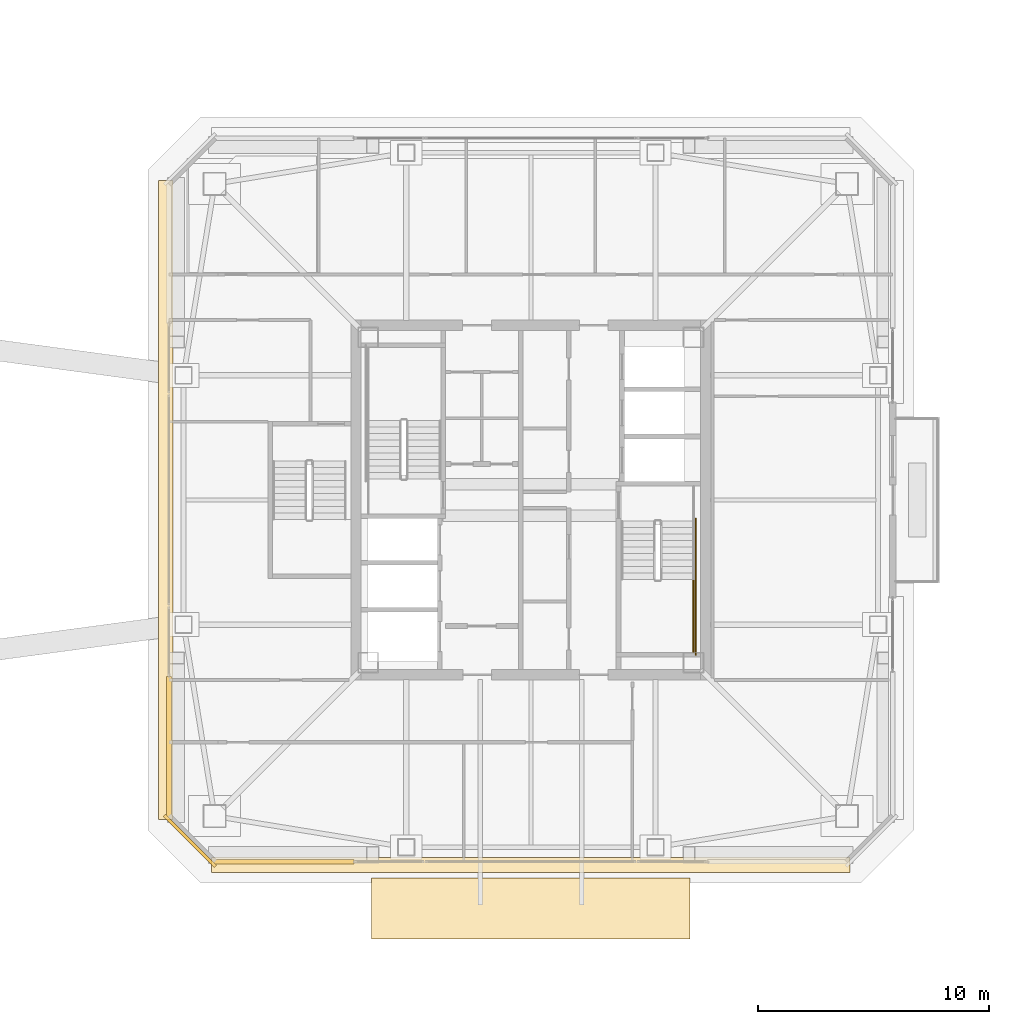
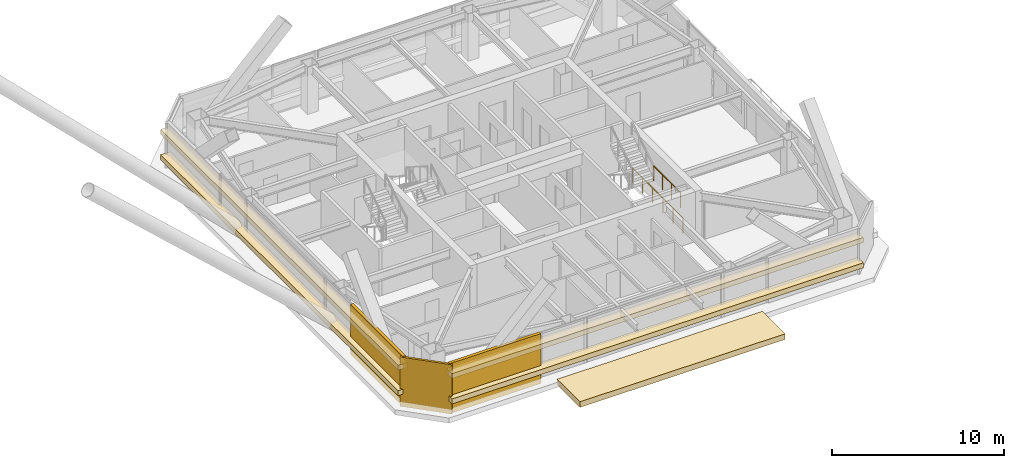
# One storey, part 35 of 39: 8 coverings, 2 railings.
"""IFC4 building model written with IfcOpenShell, lengths in metres."""

from ifc_helpers import new_model, si_unit, direction, frame, origin, origin_2d, place, context, subcontext, project, spatial, rectangle, extrude, material, layer, layer_set, type_object, element, save


model = new_model("IFC4")

# Units and contexts
model_context = context("Model", 3, precision=1e-05, world=origin(), true_north=direction((0.0, 1.0)))
body_context = subcontext(model_context, "Body", "Model", "MODEL_VIEW")
ifc_project = project(units=[si_unit("LENGTHUNIT", "METRE"), si_unit("AREAUNIT", "SQUARE_METRE"), si_unit("VOLUMEUNIT", "CUBIC_METRE"), si_unit("PLANEANGLEUNIT", "RADIAN"), si_unit("MASSUNIT", "GRAM", prefix="KILO")], contexts=[model_context])

# Site, building, storey
site_placement = place(None, origin())
site = spatial("IfcSite", under=ifc_project, at=site_placement, CompositionType="ELEMENT")
building_placement = place(site_placement, origin())
building = spatial("IfcBuilding", under=site, at=building_placement, Name="Tashvorn Skyway Center", CompositionType="ELEMENT")
storey_placement = place(building_placement, frame((0.0, 0.0, 232.60009765625)))
storey = spatial("IfcBuildingStorey", under=building, at=storey_placement, Name="L63", CompositionType="ELEMENT", Elevation=232.60009765625)

# Coverings
ifc_material_1 = material(Name="Precast concrete C40/50", Category="concrete")
ifc_layer_1 = layer(ifc_material_1, 0.199951171875)
ifc_layer_set_1 = layer_set([ifc_layer_1], Name="Precast concrete C40/50")
covering_type_1 = type_object("IfcCoveringType", Name="COV-BRACE-CLAD", PredefinedType="CLADDING", material=ifc_layer_set_1)
for number, where, z_axis, x_axis, name in (
    (1, (31.2822265625, 16.320068359375, 0.0), (0.0, 0.0, 1.0), (-1.0, 0.0, 0.0), "Tower 1 L63 South Unitised Curtain Wall Mega-Brace Cladding Band 2"),
    (2, (26.320068359375, 21.2822265625, 0.0), (0.0, 0.0, 1.0), (0.0, 1.0, 0.0), "Tower 1 L63 West Unitised Curtain Wall Mega-Brace Cladding Band 1"),
):
    element("IfcCovering", number, at=place(storey_placement, frame(where, z_axis=z_axis, x_axis=x_axis)), inside=storey, type_object=covering_type_1, Name=name, PredefinedType="CLADDING", context=body_context, shape_type="SweptSolid", body=[
        extrude(rectangle(XDim=6.12451171875, YDim=0.199951171875, at=origin_2d()), origin(), (0.0, 0.0, 1.0), 3.550048828125),
    ])
ifc_material_2 = material(Name="Perforated ceramic-coated bronze aluminium solar screen", Category="aluminium")
ifc_layer_2 = layer(ifc_material_2, 0.85009765625)
ifc_layer_set_2 = layer_set([ifc_layer_2], Name="Perforated ceramic-coated bronze aluminium solar screen")
covering_type_2 = type_object("IfcCoveringType", Name="COV-SOLAR-BAND", PredefinedType="CLADDING", material=ifc_layer_set_2)
for number, where, z_axis, x_axis, name in (
    (3, (42.0, 16.179931640625, 0.919921875), (0.0, 0.0, 1.0), (-1.0, 0.0, 0.0), "L63 Perforated Ceramic-Metal Solar Screen Louvre Band South 1"),
    (4, (42.0, 16.179931640625, 2.7197265625), (0.0, 0.0, 1.0), (-1.0, 0.0, 0.0), "L63 Perforated Ceramic-Metal Solar Screen Louvre Band South 2"),
    (5, (26.179931640625, 32.0, 0.919921875), (0.0, 0.0, 1.0), (0.0, 1.0, 0.0), "L63 Perforated Ceramic-Metal Solar Screen Louvre Band West 1"),
    (6, (26.179931640625, 32.0, 2.7197265625), (0.0, 0.0, 1.0), (0.0, 1.0, 0.0), "L63 Perforated Ceramic-Metal Solar Screen Louvre Band West 2"),
):
    element("IfcCovering", number, at=place(storey_placement, frame(where, z_axis=z_axis, x_axis=x_axis)), inside=storey, type_object=covering_type_2, Name=name, PredefinedType="CLADDING", context=body_context, shape_type="SweptSolid", body=[
        extrude(rectangle(XDim=27.679931640625, YDim=0.639892578125, at=origin_2d()), origin(), (0.0, 0.0, 1.0), 0.360107421875),
    ])
ifc_layer_3 = layer(ifc_material_1, 0.35009765625)
ifc_layer_set_3 = layer_set([ifc_layer_3], Name="Precast concrete C40/50")
covering_type_3 = type_object("IfcCoveringType", Name="COV-STONE-TRIM", PredefinedType="CLADDING", material=ifc_layer_set_3)
covering_1_placement = place(storey_placement, frame((42.0, 14.300048828125, 0.0), z_axis=(0.0, 0.0, 1.0), x_axis=(-1.0, 0.0, 0.0)))
element("IfcCovering", 7, at=covering_1_placement, inside=storey, type_object=covering_type_3, Name="Tower 1 L62 Sky Garden Terracotta Canopy Hood", PredefinedType="CLADDING", context=body_context, shape_type="SweptSolid", body=[
    extrude(rectangle(XDim=13.800048828125, YDim=2.64990234375, at=origin_2d()), origin(), (0.0, 0.0, 1.0), 0.39990234375),
])
covering_2_placement = place(storey_placement, frame((27.22998046875, 17.22998046875, 0.02001953125), z_axis=(0.0, 0.0, 1.0), x_axis=(-0.707106781187, 0.707106781187, 0.0)))
element("IfcCovering", 8, at=covering_2_placement, inside=storey, type_object=covering_type_3, Name="Tower 1 L63 SW Mojave Limestone Corner Quoin", PredefinedType="CLADDING", context=body_context, shape_type="SweptSolid", body=[
    extrude(rectangle(XDim=3.1298828125, YDim=0.139892578125, at=origin_2d()), origin(), (0.0, 0.0, 1.0), 3.510009765625),
])

# Railings
ifc_material_3 = material(Name="Painted galvanized steel S355", Category="steel")
railing_type = type_object("IfcRailingType", Name="RAIL-STGUARD-1100", PredefinedType="GUARDRAIL", material=ifc_material_3)
railing_1_placement = place(storey_placement, frame((49.050048828125, 28.56005859375, 1.77490234375)))
element("IfcRailing", 9, at=railing_1_placement, inside=storey, type_object=railing_type, Name="L63 ST-T1-2 stair guard 3", PredefinedType="GUARDRAIL", context=body_context, shape_type="SweptSolid", body=[
    extrude(rectangle(XDim=0.048095703125, YDim=0.048095703125, at=origin_2d()), frame((0.0, 0.0, 1.076171875), z_axis=(0.0, -1.0, 0.0), x_axis=(1.0, 0.0, 0.0)), (0.0, 0.0, 1.0), 3.16015625),
    extrude(rectangle(XDim=0.0419921875, YDim=0.0419921875, at=origin_2d()), origin(), (0.0, 0.0, 1.0), 1.052001953125),
    extrude(rectangle(XDim=0.0419921875, YDim=0.0419921875, at=origin_2d()), frame((0.0, -1.053466796875, 0.0)), (0.0, 0.0, 1.0), 1.052001953125),
    extrude(rectangle(XDim=0.0419921875, YDim=0.0419921875, at=origin_2d()), frame((0.0, -2.106689453125, 0.0)), (0.0, 0.0, 1.0), 1.052001953125),
    extrude(rectangle(XDim=0.0419921875, YDim=0.0419921875, at=origin_2d()), frame((0.0, -3.16015625, 0.0)), (0.0, 0.0, 1.0), 1.052001953125),
])
railing_2_placement = place(storey_placement, frame((49.14990234375, 31.179931640625, 0.0)))
element("IfcRailing", 10, at=railing_2_placement, inside=storey, type_object=railing_type, Name="L63 ST-T1-2 stair guard 7", PredefinedType="GUARDRAIL", context=body_context, shape_type="SweptSolid", body=[
    extrude(rectangle(XDim=0.048095703125, YDim=0.048095703125, at=origin_2d()), frame((0.0, 0.0, 1.076171875), z_axis=(0.0, -1.0, 0.0), x_axis=(1.0, 0.0, 0.0)), (0.0, 0.0, 1.0), 5.8798828125),
    extrude(rectangle(XDim=0.0419921875, YDim=0.0419921875, at=origin_2d()), origin(), (0.0, 0.0, 1.0), 1.052001953125),
    extrude(rectangle(XDim=0.0419921875, YDim=0.0419921875, at=origin_2d()), frame((0.0, -1.176025390625, 0.0)), (0.0, 0.0, 1.0), 1.052001953125),
    extrude(rectangle(XDim=0.0419921875, YDim=0.0419921875, at=origin_2d()), frame((0.0, -2.35205078125, 0.0)), (0.0, 0.0, 1.0), 1.052001953125),
    extrude(rectangle(XDim=0.0419921875, YDim=0.0419921875, at=origin_2d()), frame((0.0, -3.52783203125, 0.0)), (0.0, 0.0, 1.0), 1.052001953125),
    extrude(rectangle(XDim=0.0419921875, YDim=0.0419921875, at=origin_2d()), frame((0.0, -4.703857421875, 0.0)), (0.0, 0.0, 1.0), 1.052001953125),
    extrude(rectangle(XDim=0.0419921875, YDim=0.0419921875, at=origin_2d()), frame((0.0, -5.8798828125, 0.0)), (0.0, 0.0, 1.0), 1.052001953125),
])

save(model, "model.ifc")
